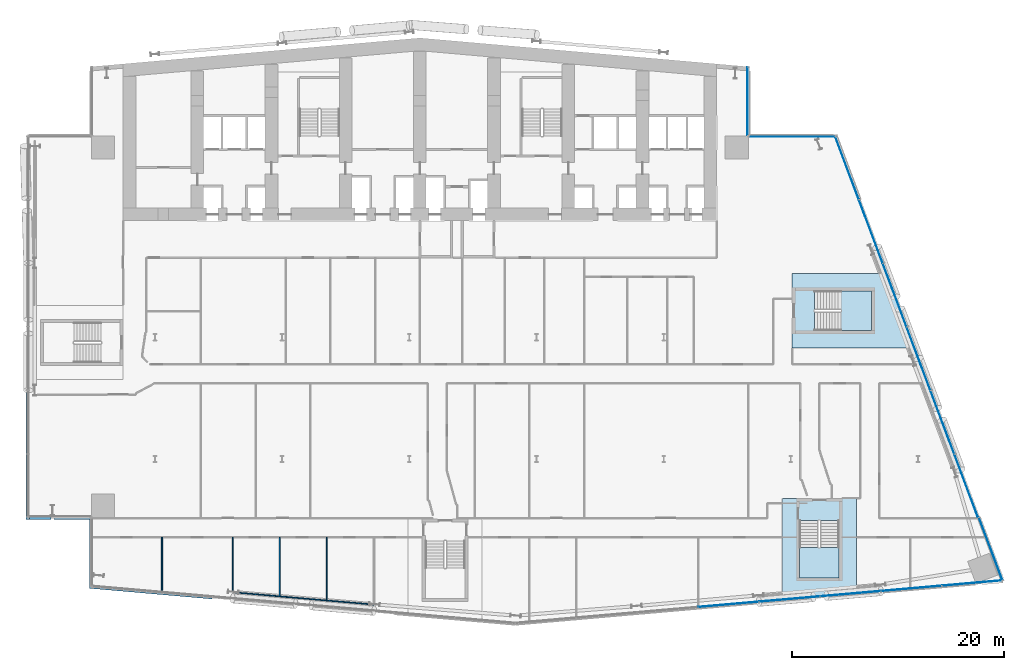
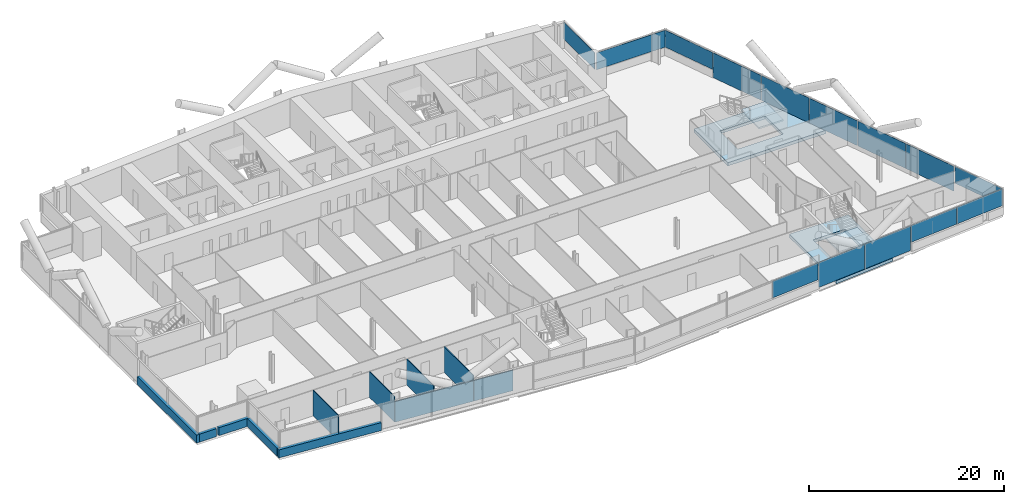
# One storey, part 12 of 27: 14 plates, 11 walls, 4 slabs, 6 elements without a shape of their own.
"""IFC4 building model written with IfcOpenShell, lengths in metres."""

from ifc_helpers import new_model, si_unit, direction, frame, frame_2d, origin, origin_2d, place, context, subcontext, project, spatial, polyline, rectangle, outline, extrude, material, layer, layer_set, type_object, element, aggregate, save


model = new_model("IFC4")

# Units and contexts
model_context = context("Model", 3, precision=1e-05, world=origin(), true_north=direction((0.0, 1.0)))
body_context = subcontext(model_context, "Body", "Model", "MODEL_VIEW")
ifc_project = project(units=[si_unit("LENGTHUNIT", "METRE"), si_unit("AREAUNIT", "SQUARE_METRE"), si_unit("VOLUMEUNIT", "CUBIC_METRE"), si_unit("PLANEANGLEUNIT", "RADIAN"), si_unit("MASSUNIT", "GRAM", prefix="KILO")], contexts=[model_context])

# Site, building, storey
site_placement = place(None, origin())
site = spatial("IfcSite", under=ifc_project, at=site_placement, CompositionType="ELEMENT")
building_placement = place(site_placement, origin())
building = spatial("IfcBuilding", under=site, at=building_placement, Name="Wharfspan Tower", CompositionType="ELEMENT")
storey_placement = place(building_placement, frame((0.0, 0.0, 55.899902)))
storey = spatial("IfcBuildingStorey", under=building, at=storey_placement, Name="L10", CompositionType="ELEMENT", Elevation=55.899902)

# Curtain wall, plates
ifc_material_1 = material(Name="Aluminium 6063-T6", Category="aluminium")
curtain_wall_type_1 = type_object("IfcCurtainWallType", Name="CURTAIN WALL FACETED FRONT", PredefinedType="NOTDEFINED", material=ifc_material_1)
curtain_wall_1_placement = place(storey_placement, origin())
curtain_wall_1 = element("IfcCurtainWall", 1, at=curtain_wall_1_placement, inside=storey, type_object=curtain_wall_type_1, Name="Curtain wall S2", PredefinedType="NOTDEFINED")
ifc_material_2 = material(Name="Glass clear low-iron double glazing", Category="glass")
ifc_layer_1 = layer(ifc_material_2, 0.040039)
ifc_layer_set_1 = layer_set([ifc_layer_1], Name="Glass clear low-iron double glazing")
plate_type_1 = type_object("IfcPlateType", Name="GLASS PANEL FACETED FRONT 40", PredefinedType="CURTAIN_PANEL", material=ifc_layer_set_1)
plate_1_placement = place(storey_placement, frame((66.119873, -2.204102, 1.0), z_axis=(0.0, 0.0, 1.0), x_axis=(0.996197, 0.087156, 0.0)))
plate_1 = element("IfcPlate", 2, at=plate_1_placement, type_object=plate_type_1, Name="Curtain wall S2 panel 4", PredefinedType="CURTAIN_PANEL", context=body_context, shape_type="SweptSolid", body=[
    extrude(rectangle(XDim=5.711914, YDim=0.040039, at=origin_2d()), origin(), (0.0, 0.0, 1.0), 2.120117),
])
plate_2_placement = place(storey_placement, frame((83.369873, -0.694824, 1.0), z_axis=(0.0, 0.0, 1.0), x_axis=(0.996197, 0.087156, 0.0)))
plate_2 = element("IfcPlate", 3, at=plate_2_placement, type_object=plate_type_1, Name="Curtain wall S2 panel 7", PredefinedType="CURTAIN_PANEL", context=body_context, shape_type="SweptSolid", body=[
    extrude(rectangle(XDim=5.711914, YDim=0.040039, at=origin_2d()), origin(), (0.0, 0.0, 1.0), 2.120117),
])
plate_3_placement = place(storey_placement, frame((89.104736, -0.193115, 1.0), z_axis=(0.0, 0.0, 1.0), x_axis=(0.996197, 0.087156, 0.0)))
plate_3 = element("IfcPlate", 4, at=plate_3_placement, type_object=plate_type_1, Name="Curtain wall S2 panel 8", PredefinedType="CURTAIN_PANEL", context=body_context, shape_type="SweptSolid", body=[
    extrude(rectangle(XDim=5.681885, YDim=0.040039, at=origin_2d()), origin(), (0.0, 0.0, 1.0), 2.120117),
])

curtain_wall_type_2 = type_object("IfcCurtainWallType", Name="CURTAIN WALL PROW AND END", PredefinedType="NOTDEFINED", material=ifc_material_1)
curtain_wall_2_placement = place(storey_placement, origin())
curtain_wall_2 = element("IfcCurtainWall", 5, at=curtain_wall_2_placement, inside=storey, type_object=curtain_wall_type_2, Name="Curtain wall E", PredefinedType="NOTDEFINED")
ifc_layer_2 = layer(ifc_material_2, 0.040039)
ifc_layer_set_2 = layer_set([ifc_layer_2], Name="Glass clear low-iron double glazing")
plate_type_2 = type_object("IfcPlateType", Name="GLASS PANEL PROW AND END 40", PredefinedType="CURTAIN_PANEL", material=ifc_layer_set_2)
plate_4_placement = place(storey_placement, frame((90.869629, 3.01416, 1.0), z_axis=(0.0, 0.0, 1.0), x_axis=(-0.351123, 0.936328, 0.0)))
plate_4 = element("IfcPlate", 6, at=plate_4_placement, type_object=plate_type_2, Name="Curtain wall E panel 1", PredefinedType="CURTAIN_PANEL", context=body_context, shape_type="SweptSolid", body=[
    extrude(rectangle(XDim=6.318115, YDim=0.040039, at=origin_2d()), origin(), (0.0, 0.0, 1.0), 2.120117),
])
plate_5_placement = place(storey_placement, frame((77.30542, 38.957764, 1.0), z_axis=(0.0, 0.0, 1.0), x_axis=(-0.351123, 0.936328, 0.0)))
plate_5 = element("IfcPlate", 7, at=plate_5_placement, type_object=plate_type_2, Name="Curtain wall E panel 7", PredefinedType="CURTAIN_PANEL", context=body_context, shape_type="SweptSolid", body=[
    extrude(rectangle(XDim=6.318115, YDim=0.040039, at=origin_2d()), origin(), (0.0, 0.0, 1.0), 2.120117),
])

# Curtain wall, plate
curtain_wall_3_placement = place(storey_placement, origin())
curtain_wall_3 = element("IfcCurtainWall", 8, at=curtain_wall_3_placement, inside=storey, type_object=curtain_wall_type_2, Name="Curtain wall NRE-H", PredefinedType="NOTDEFINED")
plate_6_placement = place(storey_placement, frame((72.125, 41.919922, 1.0), z_axis=(0.0, 0.0, 1.0), x_axis=(-1.0, 0.0, 0.0)))
plate_6 = element("IfcPlate", 9, at=plate_6_placement, type_object=plate_type_2, Name="Curtain wall NRE-H panel 1", PredefinedType="CURTAIN_PANEL", context=body_context, shape_type="SweptSolid", body=[
    extrude(rectangle(XDim=8.129883, YDim=0.040039, at=origin_2d()), origin(), (0.0, 0.0, 1.0), 2.120117),
])
aggregate(curtain_wall_3, [plate_6])

curtain_wall_4_placement = place(storey_placement, origin())
curtain_wall_4 = element("IfcCurtainWall", 10, at=curtain_wall_4_placement, inside=storey, type_object=curtain_wall_type_2, Name="Curtain wall NRE-V", PredefinedType="NOTDEFINED")
plate_7_placement = place(storey_placement, frame((67.919922, 45.262451, 1.0), z_axis=(0.0, 0.0, 1.0), x_axis=(0.0, 1.0, 0.0)))
plate_7 = element("IfcPlate", 11, at=plate_7_placement, type_object=plate_type_2, Name="Curtain wall NRE-V panel 1", PredefinedType="CURTAIN_PANEL", context=body_context, shape_type="SweptSolid", body=[
    extrude(rectangle(XDim=6.405029, YDim=0.040039, at=origin_2d()), origin(), (0.0, 0.0, 1.0), 2.120117),
])
aggregate(curtain_wall_4, [plate_7])

# Plate
ifc_material_3 = material(Name="Aluminium composite opaque insulated panel", Category="aluminium")
ifc_layer_3 = layer(ifc_material_3, 0.040039)
ifc_layer_set_3 = layer_set([ifc_layer_3], Name="Aluminium composite opaque insulated panel")
plate_type_3 = type_object("IfcPlateType", Name="INFILL PANEL FACETED FRONT OPAQUE 40", PredefinedType="SHEET", material=ifc_layer_set_3)
plate_8_placement = place(storey_placement, frame((71.869873, -1.700928, 0.0), z_axis=(0.0, 0.0, 1.0), x_axis=(0.996197, 0.087156, 0.0)))
plate_8 = element("IfcPlate", 12, at=plate_8_placement, type_object=plate_type_3, Name="Curtain wall S2 panel 5", PredefinedType="SHEET", context=body_context, shape_type="SweptSolid", body=[
    extrude(rectangle(XDim=5.711914, YDim=0.040039, at=origin_2d()), origin(), (0.0, 0.0, 1.0), 3.120117),
])

plate_9_placement = place(storey_placement, frame((77.619873, -1.197998, 0.0), z_axis=(0.0, 0.0, 1.0), x_axis=(0.996197, 0.087156, 0.0)))
plate_9 = element("IfcPlate", 13, at=plate_9_placement, type_object=plate_type_3, Name="Curtain wall S2 panel 6", PredefinedType="SHEET", context=body_context, shape_type="SweptSolid", body=[
    extrude(rectangle(XDim=5.711914, YDim=0.040039, at=origin_2d()), origin(), (0.0, 0.0, 1.0), 3.120117),
])

aggregate(curtain_wall_1, [plate_1, plate_8, plate_9, plate_2, plate_3])

ifc_layer_4 = layer(ifc_material_3, 0.040039)
ifc_layer_set_4 = layer_set([ifc_layer_4], Name="Aluminium composite opaque insulated panel")
plate_type_4 = type_object("IfcPlateType", Name="INFILL PANEL PROW AND END OPAQUE 40", PredefinedType="SHEET", material=ifc_layer_set_4)
plate_10_placement = place(storey_placement, frame((88.550049, 8.971924, 0.0), z_axis=(0.0, 0.0, 1.0), x_axis=(-0.351123, 0.936328, 0.0)))
plate_10 = element("IfcPlate", 14, at=plate_10_placement, type_object=plate_type_4, Name="Curtain wall E panel 2", PredefinedType="SHEET", context=body_context, shape_type="SweptSolid", body=[
    extrude(rectangle(XDim=6.3479, YDim=0.040039, at=origin_2d()), origin(), (0.0, 0.0, 1.0), 3.120117),
])

plate_11_placement = place(storey_placement, frame((86.300049, 14.971924, 0.0), z_axis=(0.0, 0.0, 1.0), x_axis=(-0.351123, 0.936328, 0.0)))
plate_11 = element("IfcPlate", 15, at=plate_11_placement, type_object=plate_type_4, Name="Curtain wall E panel 3", PredefinedType="SHEET", context=body_context, shape_type="SweptSolid", body=[
    extrude(rectangle(XDim=6.3479, YDim=0.040039, at=origin_2d()), origin(), (0.0, 0.0, 1.0), 3.120117),
])

plate_12_placement = place(storey_placement, frame((84.050049, 20.971924, 0.0), z_axis=(0.0, 0.0, 1.0), x_axis=(-0.351123, 0.936328, 0.0)))
plate_12 = element("IfcPlate", 16, at=plate_12_placement, type_object=plate_type_4, Name="Curtain wall E panel 4", PredefinedType="SHEET", context=body_context, shape_type="SweptSolid", body=[
    extrude(rectangle(XDim=6.3479, YDim=0.040039, at=origin_2d()), origin(), (0.0, 0.0, 1.0), 3.120117),
])

plate_13_placement = place(storey_placement, frame((81.800049, 26.971924, 0.0), z_axis=(0.0, 0.0, 1.0), x_axis=(-0.351123, 0.936328, 0.0)))
plate_13 = element("IfcPlate", 17, at=plate_13_placement, type_object=plate_type_4, Name="Curtain wall E panel 5", PredefinedType="SHEET", context=body_context, shape_type="SweptSolid", body=[
    extrude(rectangle(XDim=6.3479, YDim=0.040039, at=origin_2d()), origin(), (0.0, 0.0, 1.0), 3.120117),
])

plate_14_placement = place(storey_placement, frame((79.550049, 32.971924, 0.0), z_axis=(0.0, 0.0, 1.0), x_axis=(-0.351123, 0.936328, 0.0)))
plate_14 = element("IfcPlate", 18, at=plate_14_placement, type_object=plate_type_4, Name="Curtain wall E panel 6", PredefinedType="SHEET", context=body_context, shape_type="SweptSolid", body=[
    extrude(rectangle(XDim=6.3479, YDim=0.040039, at=origin_2d()), origin(), (0.0, 0.0, 1.0), 3.120117),
])

aggregate(curtain_wall_2, [plate_4, plate_10, plate_11, plate_12, plate_13, plate_14, plate_5])

# Slabs
ifc_material_4 = material(Name="Concrete C40/50", Category="concrete")
ifc_layer_5 = layer(ifc_material_4, 0.399902)
ifc_layer_set_5 = layer_set([ifc_layer_5], Name="Concrete C40/50")
slab_type_1 = type_object("IfcSlabType", Name="Post-tensioned flat slab 400", PredefinedType="FLOOR", material=ifc_layer_set_5)
slab_1_placement = place(storey_placement, frame((0.0, 0.0, -0.400146)))
element("IfcSlab", 19, at=slab_1_placement, inside=storey, type_object=slab_type_1, Name="Core floor slab L10 part 5", PredefinedType="FLOOR", context=body_context, shape_type="SweptSolid", body=[
    extrude(outline(polyline([(78.192383, 7.791992), (76.867432, 7.791992), (72.517578, 7.791992), (71.192383, 7.791992), (71.192383, -1.820312), (78.192383, -1.208008), (78.192383, 7.791992)]), holes=[polyline([(76.567383, 5.694092), (76.567627, 5.694092), (76.567871, 5.694092), (76.568115, 5.693848), (76.568115, 5.693848), (76.568359, 5.693848), (76.568604, 5.693604), (76.568604, 5.693604), (76.568848, 5.693359), (76.569092, 5.693359), (76.569092, 5.693115), (76.569092, 5.692871), (76.569336, 5.692871), (76.569336, 5.692627), (76.569336, 5.692383), (76.56958, 5.692139), (76.56958, 5.691895), (76.56958, 0.291992), (76.56958, 0.291748), (76.569336, 0.291504), (76.569336, 0.291504), (76.569336, 0.29126), (76.569092, 0.291016), (76.569092, 0.291016), (76.569092, 0.290771), (76.568848, 0.290527), (76.568604, 0.290527), (76.568604, 0.290283), (76.568359, 0.290283), (76.568115, 0.290283), (76.568115, 0.290039), (76.567871, 0.290039), (76.567627, 0.290039), (76.567383, 0.290039), (72.817383, 0.290039), (72.817383, 0.290039), (72.817139, 0.290039), (72.816895, 0.290039), (72.81665, 0.290283), (72.816406, 0.290283), (72.816406, 0.290283), (72.816162, 0.290527), (72.816162, 0.290527), (72.815918, 0.290771), (72.815918, 0.291016), (72.815674, 0.291016), (72.815674, 0.29126), (72.815674, 0.291504), (72.81543, 0.291504), (72.81543, 0.291748), (72.81543, 0.291992), (72.81543, 5.691895), (72.81543, 5.692139), (72.81543, 5.692383), (72.815674, 5.692627), (72.815674, 5.692871), (72.815674, 5.692871), (72.815918, 5.693115), (72.815918, 5.693359), (72.816162, 5.693359), (72.816162, 5.693604), (72.816406, 5.693604), (72.816406, 5.693848), (72.81665, 5.693848), (72.816895, 5.693848), (72.817139, 5.694092), (72.817383, 5.694092), (72.817383, 5.694092), (76.567383, 5.694092)])]), origin(), (0.0, 0.0, 1.0), 0.400146),
])
slab_2_placement = place(storey_placement, frame((0.0, 0.0, -0.400146)))
element("IfcSlab", 20, at=slab_2_placement, inside=storey, type_object=slab_type_1, Name="Core floor slab L10 part 6", PredefinedType="FLOOR", context=body_context, shape_type="SweptSolid", body=[
    extrude(outline(polyline([(81.125, 29.0), (72.125, 29.0), (72.125, 27.675049), (72.125, 23.324951), (72.125, 22.0), (83.75, 22.0), (81.125, 29.0)]), holes=[polyline([(74.2229, 27.375), (74.2229, 27.375244), (74.2229, 27.375488), (74.223145, 27.375488), (74.223145, 27.375732), (74.223145, 27.375977), (74.223389, 27.376221), (74.223389, 27.376221), (74.223633, 27.376465), (74.223633, 27.376465), (74.223877, 27.376709), (74.224121, 27.376709), (74.224121, 27.376709), (74.224365, 27.376953), (74.224609, 27.376953), (74.224854, 27.376953), (74.225098, 27.376953), (79.625, 27.376953), (79.625244, 27.376953), (79.625488, 27.376953), (79.625488, 27.376953), (79.625732, 27.376709), (79.625977, 27.376709), (79.626221, 27.376709), (79.626221, 27.376465), (79.626465, 27.376465), (79.626465, 27.376221), (79.626709, 27.376221), (79.626709, 27.375977), (79.626709, 27.375732), (79.626953, 27.375488), (79.626953, 27.375488), (79.626953, 27.375244), (79.626953, 27.375), (79.626953, 23.625), (79.626953, 23.624756), (79.626953, 23.624512), (79.626953, 23.624512), (79.626709, 23.624268), (79.626709, 23.624023), (79.626709, 23.623779), (79.626465, 23.623779), (79.626465, 23.623535), (79.626221, 23.623535), (79.626221, 23.623291), (79.625977, 23.623291), (79.625732, 23.623291), (79.625488, 23.623047), (79.625488, 23.623047), (79.625244, 23.623047), (79.625, 23.623047), (74.225098, 23.623047), (74.224854, 23.623047), (74.224609, 23.623047), (74.224365, 23.623047), (74.224121, 23.623291), (74.224121, 23.623291), (74.223877, 23.623291), (74.223633, 23.623535), (74.223633, 23.623535), (74.223389, 23.623779), (74.223389, 23.623779), (74.223145, 23.624023), (74.223145, 23.624268), (74.223145, 23.624512), (74.2229, 23.624512), (74.2229, 23.624756), (74.2229, 23.625), (74.2229, 27.375)])]), origin(), (0.0, 0.0, 1.0), 0.400146),
])

# Stair, slab
stair_type = type_object("IfcStairType", Name="Half-turn stair 20 risers 180 mm", PredefinedType="HALF_TURN_STAIR", material=ifc_material_4)
stair_1_placement = place(storey_placement, origin())
stair_1 = element("IfcStair", 21, at=stair_1_placement, inside=storey, type_object=stair_type, Name="L10 stair ST5", PredefinedType="HALF_TURN_STAIR")
ifc_layer_6 = layer(ifc_material_4, 0.199951)
ifc_layer_set_6 = layer_set([ifc_layer_6], Name="Concrete C40/50")
slab_type_2 = type_object("IfcSlabType", Name="Stair landing 200", PredefinedType="LANDING", material=ifc_layer_set_6)
slab_3_placement = place(storey_placement, frame((0.0, 0.0, 1.599854)))
slab_3 = element("IfcSlab", 22, at=slab_3_placement, type_object=slab_type_2, Name="ST5 landing 1", PredefinedType="LANDING", context=body_context, shape_type="SweptSolid", body=[
    extrude(outline(polyline([(72.817383, 3.172119), (72.817383, 0.291992), (76.567383, 0.291992), (76.567383, 3.172119), (72.817383, 3.172119)])), origin(), (0.0, 0.0, 1.0), 0.200195),
])
aggregate(stair_1, [slab_3])

stair_2_placement = place(storey_placement, origin())
stair_2 = element("IfcStair", 23, at=stair_2_placement, inside=storey, type_object=stair_type, Name="L10 stair ST6", PredefinedType="HALF_TURN_STAIR")
slab_4_placement = place(storey_placement, frame((0.0, 0.0, 1.599854)))
slab_4 = element("IfcSlab", 24, at=slab_4_placement, type_object=slab_type_2, Name="ST6 landing 1", PredefinedType="LANDING", context=body_context, shape_type="SweptSolid", body=[
    extrude(outline(polyline([(76.745117, 23.625), (79.625, 23.625), (79.625, 27.375), (76.745117, 27.375), (76.745117, 23.625)])), origin(), (0.0, 0.0, 1.0), 0.200195),
])
aggregate(stair_2, [slab_4])

# Walls
ifc_material_5 = material(Name="Gypsum board on steel studs", Category="steel")
ifc_layer_7 = layer(ifc_material_5, 0.100098)
ifc_layer_set_7 = layer_set([ifc_layer_7], Name="Gypsum board on steel studs")
wall_type_1 = type_object("IfcWallType", Name="Compartment wall 100 EI 60", PredefinedType="PARTITIONING", material=ifc_layer_set_7)
wall_1_placement = place(storey_placement, frame((12.669922, -1.088379, 0.0), z_axis=(0.0, 0.0, 1.0), x_axis=(0.0, 1.0, 0.0)))
element("IfcWall", 25, at=wall_1_placement, inside=storey, type_object=wall_type_1, Name="Partition L10.w019", PredefinedType="PARTITIONING", context=body_context, shape_type="SweptSolid", body=[
    extrude(rectangle(XDim=5.208496, YDim=0.100098, at=frame_2d((2.604248, 0.0))), origin(), (0.0, 0.0, 1.0), 3.200195),
])
wall_2_placement = place(storey_placement, frame((19.334961, -1.060059, 0.0), z_axis=(0.0, 0.0, 1.0), x_axis=(0.0, 1.0, 0.0)))
element("IfcWall", 26, at=wall_2_placement, inside=storey, type_object=wall_type_1, Name="Partition L10.w022", PredefinedType="PARTITIONING", context=body_context, shape_type="SweptSolid", body=[
    extrude(rectangle(XDim=5.180176, YDim=0.100098, at=frame_2d((2.590088, 0.0))), origin(), (0.0, 0.0, 1.0), 3.200195),
])
wall_3_placement = place(storey_placement, frame((23.780029, -1.449951, 0.0), z_axis=(0.0, 0.0, 1.0), x_axis=(0.0, 1.0, 0.0)))
element("IfcWall", 27, at=wall_3_placement, inside=storey, type_object=wall_type_1, Name="Partition L10.w024", PredefinedType="PARTITIONING", context=body_context, shape_type="SweptSolid", body=[
    extrude(rectangle(XDim=5.570068, YDim=0.100098, at=frame_2d((2.785156, 0.0))), origin(), (0.0, 0.0, 1.0), 3.200195),
])
wall_4_placement = place(storey_placement, frame((28.225098, -1.840088, 0.0), z_axis=(0.0, 0.0, 1.0), x_axis=(0.0, 1.0, 0.0)))
element("IfcWall", 28, at=wall_4_placement, inside=storey, type_object=wall_type_1, Name="Partition L10.w028", PredefinedType="PARTITIONING", context=body_context, shape_type="SweptSolid", body=[
    extrude(rectangle(XDim=5.960205, YDim=0.100098, at=frame_2d((2.97998, 0.0))), origin(), (0.0, 0.0, 1.0), 3.200195),
])
ifc_layer_8 = layer(ifc_material_5, 0.100098)
ifc_layer_set_8 = layer_set([ifc_layer_8], Name="Gypsum board on steel studs")
wall_type_2 = type_object("IfcWallType", Name="Partition 100", PredefinedType="PARTITIONING", material=ifc_layer_set_8)
wall_5_placement = place(storey_placement, frame((28.219971, -1.840088, 0.0), z_axis=(0.0, 0.0, 1.0), x_axis=(-0.996164, 0.087512, 0.0)))
element("IfcWall", 29, at=wall_5_placement, inside=storey, type_object=wall_type_2, Name="Partition L10.w027", PredefinedType="PARTITIONING", context=body_context, shape_type="SweptSolid", body=[
    extrude(rectangle(XDim=8.918945, YDim=0.100098, at=frame_2d((4.459473, 0.0))), origin(), (0.0, 0.0, 1.0), 2.580078),
])
wall_6_placement = place(storey_placement, frame((32.665039, -2.225098, 0.0), z_axis=(0.0, 0.0, 1.0), x_axis=(-0.996263, 0.086391, 0.0)))
element("IfcWall", 30, at=wall_6_placement, inside=storey, type_object=wall_type_2, Name="Partition L10.w030", PredefinedType="PARTITIONING", context=body_context, shape_type="SweptSolid", body=[
    extrude(rectangle(XDim=4.456543, YDim=0.100098, at=frame_2d((2.228271, 0.0))), origin(), (0.0, 0.0, 1.0), 2.580078),
])
ifc_layer_9 = layer(ifc_material_4, 0.350098)
ifc_layer_set_9 = layer_set([ifc_layer_9], Name="Concrete C40/50")
wall_type_3 = type_object("IfcWallType", Name="SPANDREL EXPOSED CONCRETE 350", PredefinedType="SOLIDWALL", material=ifc_layer_set_9)
wall_7_placement = place(storey_placement, frame((5.835205, -0.515625, 0.0), z_axis=(0.0, 0.0, 1.0), x_axis=(0.996192, -0.087142, 0.0)))
element("IfcWall", 31, at=wall_7_placement, inside=storey, type_object=wall_type_3, Name="Spandrel upstand L10 S1 1", PredefinedType="SOLIDWALL", context=body_context, shape_type="SweptSolid", body=[
    extrude(rectangle(XDim=11.607178, YDim=0.350098, at=frame_2d((5.803711, 0.0))), origin(), (0.0, 0.0, 1.0), 1.0),
])
wall_8_placement = place(storey_placement, frame((-0.004883, 17.969971, 0.0), z_axis=(0.0, 0.0, 1.0), x_axis=(0.0, -1.0, 0.0)))
element("IfcWall", 32, at=wall_8_placement, inside=storey, type_object=wall_type_3, Name="Spandrel upstand L10 W", PredefinedType="SOLIDWALL", context=body_context, shape_type="SweptSolid", body=[
    extrude(rectangle(XDim=12.149902, YDim=0.350098, at=frame_2d((6.074951, 0.0))), origin(), (0.0, 0.0, 1.0), 1.0),
])
wall_9_placement = place(storey_placement, frame((0.169922, 5.995117, 0.0), z_axis=(0.0, 0.0, 1.0), x_axis=(1.0, 0.0, 0.0)))
element("IfcWall", 33, at=wall_9_placement, inside=storey, type_object=wall_type_3, Name="Spandrel upstand L10 NFW-H", PredefinedType="SOLIDWALL", context=body_context, shape_type="SweptSolid", body=[
    extrude(rectangle(XDim=2.010742, YDim=0.350098, at=frame_2d((1.005371, 0.0))), origin(), (0.0, 0.0, 1.0), 1.0),
])
wall_10_placement = place(storey_placement, frame((2.482666, 5.995117, 0.0), z_axis=(0.0, 0.0, 1.0), x_axis=(1.0, 0.0, 0.0)))
element("IfcWall", 34, at=wall_10_placement, inside=storey, type_object=wall_type_3, Name="Spandrel upstand L10 NFW-H 2", PredefinedType="SOLIDWALL", context=body_context, shape_type="SweptSolid", body=[
    extrude(rectangle(XDim=3.517334, YDim=0.350098, at=frame_2d((1.758789, 0.0))), origin(), (0.0, 0.0, 1.0), 1.0),
])
wall_11_placement = place(storey_placement, frame((5.995117, 5.820068, 0.0), z_axis=(0.0, 0.0, 1.0), x_axis=(0.0, -1.0, 0.0)))
element("IfcWall", 35, at=wall_11_placement, inside=storey, type_object=wall_type_3, Name="Spandrel upstand L10 NFW-V", PredefinedType="SOLIDWALL", context=body_context, shape_type="SweptSolid", body=[
    extrude(rectangle(XDim=6.161377, YDim=0.350098, at=frame_2d((3.080566, 0.0))), origin(), (0.0, 0.0, 1.0), 1.0),
])

save(model, "model.ifc")
